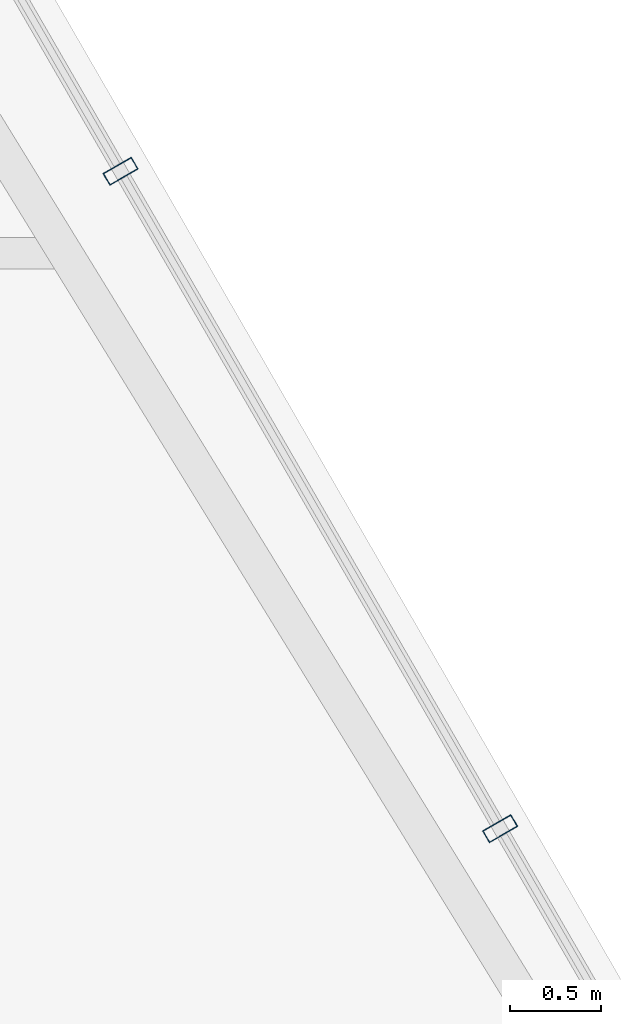
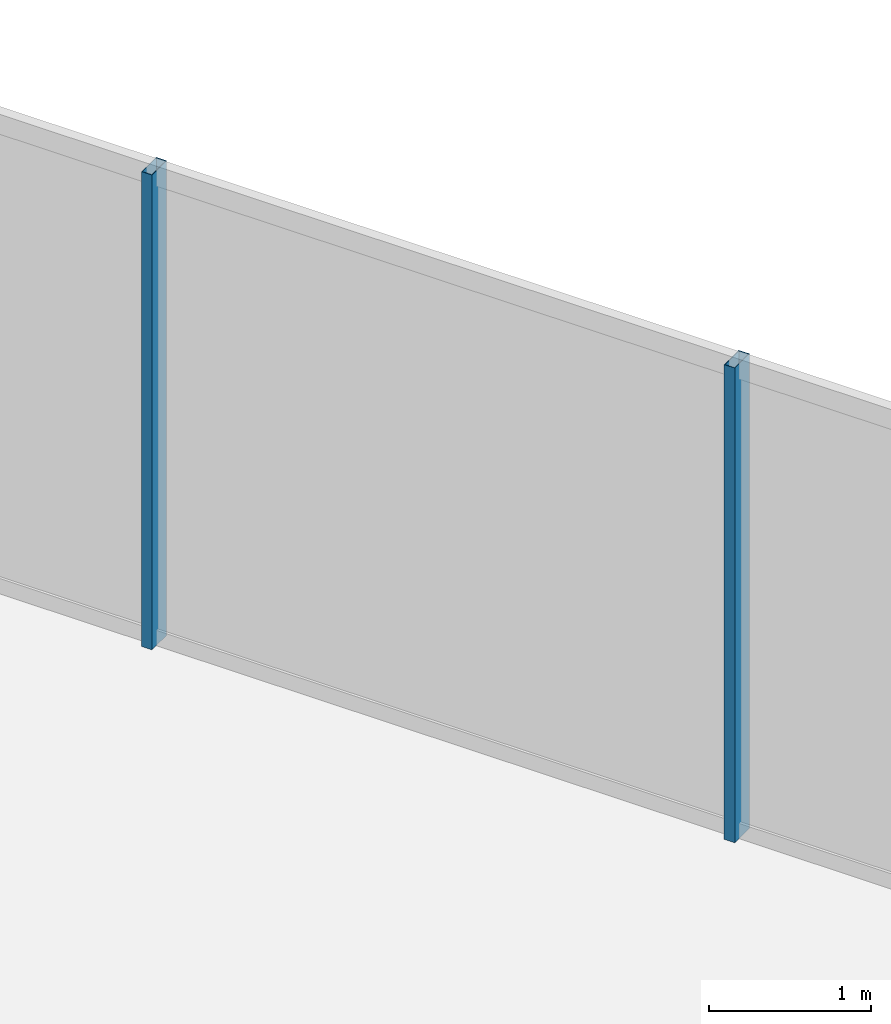
# One storey, part 21 of 35: 2 members, 1 element without a shape of its own.
"""IFC4 building model written with IfcOpenShell, lengths in metres."""

from ifc_helpers import new_model, si_unit, direction, frame, origin, origin_2d, place, context, subcontext, project, spatial, hollow_rectangle, extrude, material, layer, layer_set, material_profile, profile_set, type_object, element, aggregate, save


model = new_model("IFC4")

# Units and contexts
model_context = context("Model", 3, precision=1e-05, world=origin(), true_north=direction((0.0, 1.0)))
body_context = subcontext(model_context, "Body", "Model", "MODEL_VIEW")
ifc_project = project(units=[si_unit("LENGTHUNIT", "METRE"), si_unit("AREAUNIT", "SQUARE_METRE"), si_unit("VOLUMEUNIT", "CUBIC_METRE"), si_unit("PLANEANGLEUNIT", "RADIAN"), si_unit("MASSUNIT", "GRAM", prefix="KILO")], contexts=[model_context])

# Site, building, storey
site_placement = place(None, origin())
site = spatial("IfcSite", under=ifc_project, at=site_placement, CompositionType="ELEMENT")
building_placement = place(site_placement, origin())
building = spatial("IfcBuilding", under=site, at=building_placement, Name="Ndaravel Arena Tower", CompositionType="ELEMENT")
storey_placement = place(building_placement, frame((0.0, 0.0, 176.39990234375)))
storey = spatial("IfcBuildingStorey", under=building, at=storey_placement, Name="L42", CompositionType="ELEMENT", Elevation=176.39990234375)

# Curtain wall, members
ifc_material_1 = material(Name="Aluminium", Category="aluminium")
ifc_layer = layer(ifc_material_1, 0.179931640625)
ifc_layer_set = layer_set([ifc_layer], Name="Aluminium")
curtain_wall_type = type_object("IfcCurtainWallType", Name="CW-SYS-03", PredefinedType="NOTDEFINED", material=ifc_layer_set)
curtain_wall_placement = place(storey_placement, origin())
curtain_wall = element("IfcCurtainWall", 1, at=curtain_wall_placement, inside=storey, type_object=curtain_wall_type, Name="L42 Faceted Crystal Curtain Wall CW-L42-E03", PredefinedType="NOTDEFINED")
ifc_material_2 = material(Name="Aluminium", Category="aluminium")
ifc_material_profile = material_profile(ifc_material_2, hollow_rectangle(XDim=0.074951171875, YDim=0.179931640625, WallThickness=0.00390625, at=origin_2d()), Name="CW MULLION 75x180x4")
ifc_profile_set = profile_set([ifc_material_profile], Name="Aluminium")
member_type = type_object("IfcMemberType", Name="MEM-CW-MUL180", PredefinedType="MULLION", material=ifc_profile_set)
member_1_placement = place(storey_placement, frame((55.331298828125, 31.850341796875, 0.0), z_axis=(0.0, 0.0, 1.0), x_axis=(-0.5, 0.866025403784, 0.0)))
member_1 = element("IfcMember", 2, at=member_1_placement, type_object=member_type, Name="CW-L42-E03 Mullion 05", PredefinedType="MULLION", context=body_context, shape_type="SweptSolid", body=[
    extrude(hollow_rectangle(XDim=0.074951171875, YDim=0.179931640625, WallThickness=0.00390625, at=origin_2d()), origin(), (0.0, 0.0, 1.0), 3.580078125),
])
member_2_placement = place(storey_placement, frame((53.25341796875, 35.44970703125, 0.0), z_axis=(0.0, 0.0, 1.0), x_axis=(-0.5, 0.866025403784, 0.0)))
member_2 = element("IfcMember", 3, at=member_2_placement, type_object=member_type, Name="CW-L42-E03 Mullion 06", PredefinedType="MULLION", context=body_context, shape_type="SweptSolid", body=[
    extrude(hollow_rectangle(XDim=0.074951171875, YDim=0.179931640625, WallThickness=0.00390625, at=origin_2d()), origin(), (0.0, 0.0, 1.0), 3.580078125),
])
aggregate(curtain_wall, [member_1, member_2])

save(model, "model.ifc")
